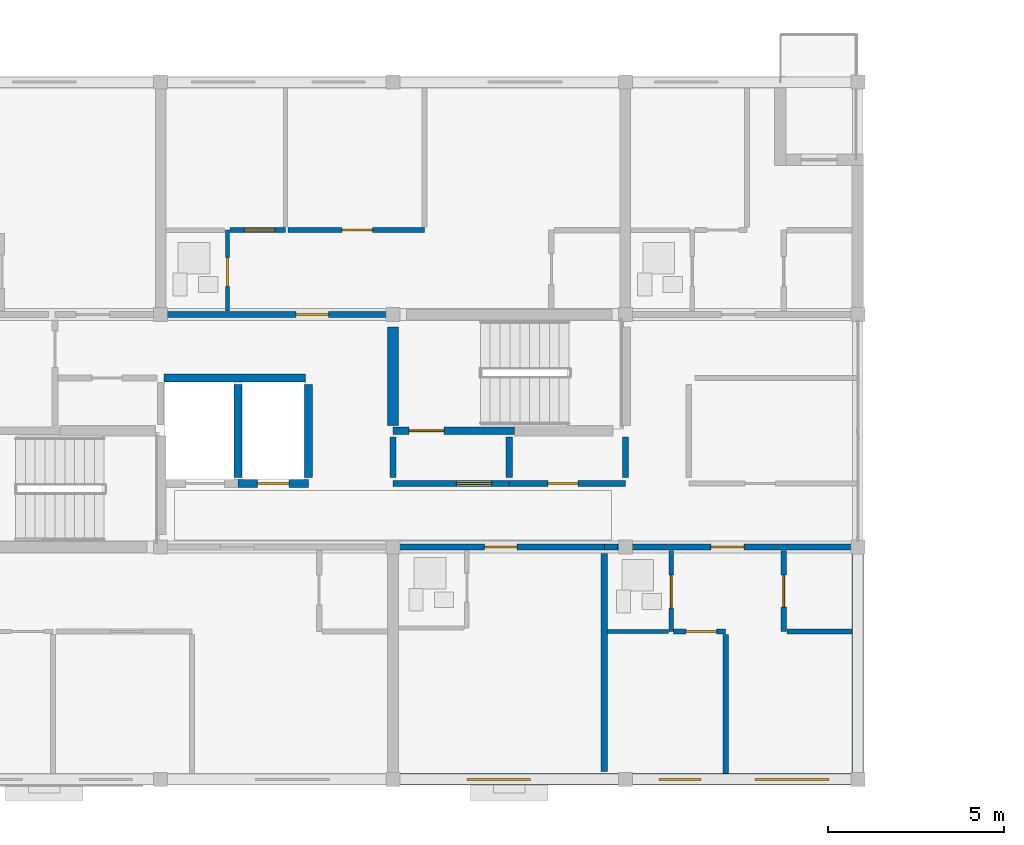
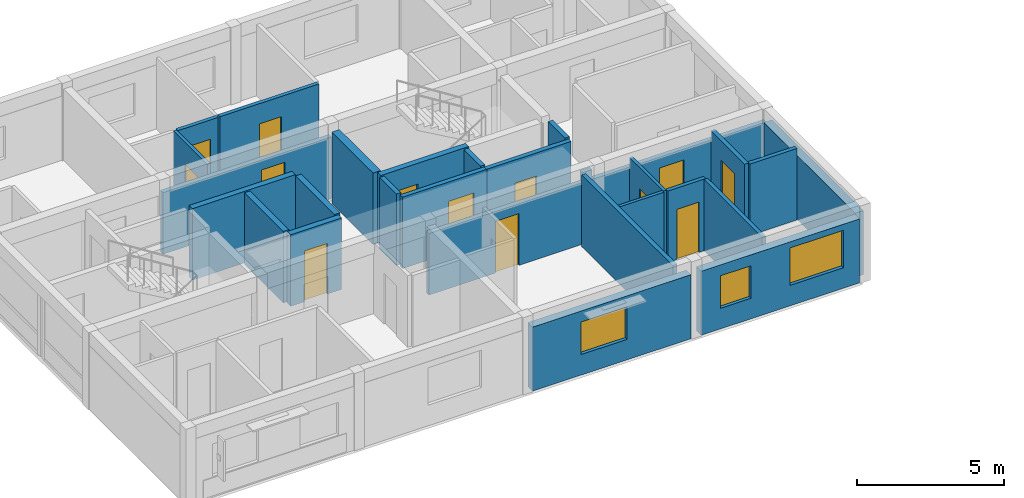
# One storey, part 28 of 53: 28 walls, 13 doors, 3 windows, 16 openings.
"""IFC4 building model written with IfcOpenShell, lengths in metres."""

import ifcopenshell
import ifcopenshell.guid

model = None  # the IFC model being written
_history = None  # IfcOwnerHistory: only IFC2X3 demands one
_inside = {}  # id of a spatial element -> (the spatial element, [elements in it])
_under = {}  # id of a project, library or spatial element -> (it, [spatial elements below it])
_declared = {}  # id of a project -> (the project, [libraries it declares])
_typed = {}  # id of a type object -> (the type object, [elements of that type])
_made_of = {}  # id of a material, layer set ... -> (it, [elements and type objects made of it])


def new_model(schema):
    """Start an empty IFC model of exactly this schema.

    Asked for "IFC4X3", IfcOpenShell would pick the latest addendum, in which some entities
    have other attributes; the version numbers below select the first issue.
    IFC2X3 requires an IfcOwnerHistory on every rooted entity: one is made here for all.
    """
    global model, _history
    if schema == "IFC4X3":
        model = ifcopenshell.file(schema_version=(4, 3, 0, 0))
    else:
        model = ifcopenshell.file(schema=schema)
    _inside.clear()
    _under.clear()
    _declared.clear()
    _typed.clear()
    _made_of.clear()
    _history = None
    if model.schema == "IFC2X3":
        org = make("IfcOrganization", Name="unknown")
        user = make(
            "IfcPersonAndOrganization",
            ThePerson=make("IfcPerson", FamilyName="unknown"),
            TheOrganization=org,
        )
        app = make(
            "IfcApplication",
            ApplicationDeveloper=org,
            Version="unknown",
            ApplicationFullName="unknown",
            ApplicationIdentifier="unknown",
        )
        _history = make(
            "IfcOwnerHistory",
            OwningUser=user,
            OwningApplication=app,
            ChangeAction="ADDED",
            CreationDate=0,
        )
    return model


def make(cls, **values):
    """One entity of the class cls with the attributes given. An attribute that is None is left unset."""
    return model.create_entity(
        cls, **{name: value for name, value in values.items() if value is not None}
    )


def rooted(cls, **values):
    """An entity with a GlobalId (a new one), such as an element, a storey or a relation."""
    return make(cls, GlobalId=ifcopenshell.guid.new(), OwnerHistory=_history, **values)


def si_unit(unit_type, name, prefix=None):
    """IfcSIUnit, for example si_unit("LENGTHUNIT", "METRE", prefix="MILLI")."""
    return make("IfcSIUnit", UnitType=unit_type, Prefix=prefix, Name=name)


def assignment(units):
    """IfcUnitAssignment: the units of a project."""
    return None if units is None else make("IfcUnitAssignment", Units=units)


def point(xyz):
    """IfcCartesianPoint."""
    return None if xyz is None else make("IfcCartesianPoint", Coordinates=xyz)


def direction(xyz):
    """IfcDirection."""
    return None if xyz is None else make("IfcDirection", DirectionRatios=xyz)


def frame(location, z_axis=None, x_axis=None):
    """IfcAxis2Placement3D, a coordinate frame: its origin and axes. An axis left out is left unset."""
    return make(
        "IfcAxis2Placement3D",
        Location=point(location),
        Axis=direction(z_axis),
        RefDirection=direction(x_axis),
    )


def frame_2d(location, x_axis=None):
    """IfcAxis2Placement2D, a coordinate frame in the plane: its origin and x axis."""
    return make(
        "IfcAxis2Placement2D", Location=point(location), RefDirection=direction(x_axis)
    )


def origin():
    """The frame at (0, 0, 0) with its axes left unset."""
    return frame((0.0, 0.0, 0.0))


def place(relative_to, where):
    """IfcLocalPlacement: puts the frame where relative to a parent placement (None: the world)."""
    return make(
        "IfcLocalPlacement", PlacementRelTo=relative_to, RelativePlacement=where
    )


def context(
    kind, dimensions, precision=None, world=None, true_north=None, identifier=None
):
    """IfcGeometricRepresentationContext, for example the 3D "Model" context."""
    return make(
        "IfcGeometricRepresentationContext",
        ContextIdentifier=identifier,
        ContextType=kind,
        CoordinateSpaceDimension=dimensions,
        Precision=precision,
        WorldCoordinateSystem=world,
        TrueNorth=true_north,
    )


def subcontext(parent, identifier, kind, view, scale=None):
    """IfcGeometricRepresentationSubContext, for example "Body" below "Model"."""
    return make(
        "IfcGeometricRepresentationSubContext",
        ContextIdentifier=identifier,
        ContextType=kind,
        ParentContext=parent,
        TargetScale=scale,
        TargetView=view,
    )


def project(units=None, contexts=None):
    """IfcProject with its units and contexts."""
    return rooted(
        "IfcProject",
        Name="project",
        RepresentationContexts=contexts,
        UnitsInContext=assignment(units),
    )


def spatial(cls, under=None, at=None, **own):
    """A site, building, storey or space (cls), placed at a placement, below another one or the project."""
    s = rooted(cls, ObjectPlacement=at, **own)
    if under is not None:
        _under.setdefault(under.id(), (under, []))[1].append(s)
    return s


def profile(cls, at=None, kind="AREA", **sizes):
    """A parametric profile (cls). Its sizes go by their IFC names, for example OverallWidth=200.0."""
    return make(cls, ProfileType=kind, Position=at, **sizes)


def rectangle(**sizes):
    """IfcRectangleProfileDef."""
    return profile("IfcRectangleProfileDef", **sizes)


def extrude(swept, where, along, depth):
    """IfcExtrudedAreaSolid: the profile swept, set in the frame where, extruded along a direction by depth."""
    return make(
        "IfcExtrudedAreaSolid",
        SweptArea=swept,
        Position=where,
        ExtrudedDirection=direction(along),
        Depth=depth,
    )


def shape(context_of_items, identifier, shape_type, items):
    """IfcShapeRepresentation: the items that make up one representation, for example the "Body"."""
    return make(
        "IfcShapeRepresentation",
        ContextOfItems=context_of_items,
        RepresentationIdentifier=identifier,
        RepresentationType=shape_type,
        Items=items,
    )


def material(Name=None, Category=None):
    """IfcMaterial."""
    return make("IfcMaterial", Name=Name, Category=Category)


def layer(
    of_material, thickness, ventilated=None, Name=None, Category=None, Priority=None
):
    """IfcMaterialLayer: one layer of a wall or slab, of a material (None: an air gap)."""
    return make(
        "IfcMaterialLayer",
        Material=of_material,
        LayerThickness=thickness,
        IsVentilated=ventilated,
        Name=Name,
        Category=Category,
        Priority=Priority,
    )


def layer_set(layers, Name=None):
    """IfcMaterialLayerSet."""
    return make("IfcMaterialLayerSet", MaterialLayers=layers, LayerSetName=Name)


def made_of(thing, what):
    """Note that an element or type object is made of a material, layer set ...; save() writes the relation."""
    if what is not None:
        _made_of.setdefault(what.id(), (what, []))[1].append(thing)
    return thing


def type_object(cls, material=None, **own):
    """A type object (cls), such as IfcWallType, which elements share."""
    return made_of(rooted(cls, **own), material)


def element(
    cls,
    number,
    at=None,
    inside=None,
    cuts=None,
    type_object=None,
    material=None,
    context=None,
    identifier="Body",
    shape_type=None,
    held_by="IfcProductDefinitionShape",
    body=None,
    shapes=None,
    **own,
):
    """One element of the class cls, such as IfcWall. Its Tag is "e" and its number.

    at: its placement. inside: the storey or other place that contains it. cuts: it is an
    opening in that element (IfcRelVoidsElement). A single representation is given by context,
    identifier, shape_type and body (its items); several are given by shapes. held_by: the class
    of the entity that holds the representations. save() writes the other relations.
    """
    e = rooted(cls, Tag="e%d" % number, ObjectPlacement=at, **own)
    if body is not None:
        shapes = [shape(context, identifier, shape_type, body)]
    if shapes is not None:
        e.Representation = make(held_by, Representations=shapes)
    if inside is not None:
        _inside.setdefault(inside.id(), (inside, []))[1].append(e)
    if cuts is not None:
        rooted(
            "IfcRelVoidsElement", RelatingBuildingElement=cuts, RelatedOpeningElement=e
        )
    if type_object is not None:
        _typed.setdefault(type_object.id(), (type_object, []))[1].append(e)
    return made_of(e, material)


def fill(opening, filler):
    """IfcRelFillsElement: the door or window that sits in an opening."""
    return rooted(
        "IfcRelFillsElement",
        RelatingOpeningElement=opening,
        RelatedBuildingElement=filler,
    )


def aggregate(whole, parts):
    """IfcRelAggregates: a whole, such as a stair, and the parts it consists of."""
    return rooted("IfcRelAggregates", RelatingObject=whole, RelatedObjects=parts)


def save(model, path):
    """Write the relations noted so far, then the file.

    IfcRelAggregates (storeys below a building ...), IfcRelContainedInSpatialStructure (elements
    in a storey), IfcRelDefinesByType, IfcRelAssociatesMaterial and IfcRelDeclares: one each for
    every whole, place, type object, material and project.
    """
    for whole, parts in _under.values():
        aggregate(whole, parts)
    for where, things in _inside.values():
        rooted(
            "IfcRelContainedInSpatialStructure",
            RelatedElements=things,
            RelatingStructure=where,
        )
    for kind, things in _typed.values():
        rooted("IfcRelDefinesByType", RelatedObjects=things, RelatingType=kind)
    for what, things in _made_of.values():
        rooted("IfcRelAssociatesMaterial", RelatedObjects=things, RelatingMaterial=what)
    for by, libraries in _declared.values():
        rooted("IfcRelDeclares", RelatingContext=by, RelatedDefinitions=libraries)
    model.write(path)


model = new_model("IFC4")

# Units and contexts
model_context = context("Model", 3, precision=1e-05, world=origin(), true_north=direction((0.0, 1.0)))
body_context = subcontext(model_context, "Body", "Model", "MODEL_VIEW")
ifc_project = project(units=[si_unit("LENGTHUNIT", "METRE"), si_unit("AREAUNIT", "SQUARE_METRE"), si_unit("VOLUMEUNIT", "CUBIC_METRE"), si_unit("PLANEANGLEUNIT", "RADIAN"), si_unit("MASSUNIT", "GRAM", prefix="KILO")], contexts=[model_context])

# Site, building, storey
site_placement = place(None, origin())
site = spatial("IfcSite", under=ifc_project, at=site_placement, CompositionType="ELEMENT")
building_placement = place(site_placement, origin())
building = spatial("IfcBuilding", under=site, at=building_placement, Name="Kernevlak Ridge Housing Community", CompositionType="ELEMENT")
storey_placement = place(building_placement, frame((0.0, 0.0, 18.0)))
storey = spatial("IfcBuildingStorey", under=building, at=storey_placement, Name="L05", CompositionType="ELEMENT", Elevation=18.0)

# Wall, opening, window
ifc_material_1 = material(Name="Concrete block masonry M10", Category="masonry")
ifc_layer_1 = layer(ifc_material_1, 0.320068359375, Name="Concrete block masonry M10")
ifc_layer_set_1 = layer_set([ifc_layer_1], Name="Concrete block masonry M10")
wall_type_1 = type_object("IfcWallType", Name="EW-02", PredefinedType="STANDARD", material=ifc_layer_set_1)
wall_1_placement = place(storey_placement, frame((29.0, 15.60009765625, 0.0), z_axis=(0.0, 0.0, 1.0), x_axis=(1.0, 0.0, 0.0)))
wall_1 = element("IfcWall", 1, at=wall_1_placement, inside=storey, type_object=wall_type_1, Name="Exterior wall EW-02 L05 783", PredefinedType="STANDARD", context=body_context, shape_type="SweptSolid", body=[
    extrude(rectangle(XDim=6.199951171875, YDim=0.320068359375, at=frame_2d((3.10009765625, 0.0))), origin(), (0.0, 0.0, 1.0), 2.64990234375),
])
opening_1_placement = place(wall_1_placement, frame((1.89990234375, 0.0, 0.85009765625)))
opening_1 = element("IfcOpeningElement", 2, at=opening_1_placement, cuts=wall_1, Name="Opening WT-03", PredefinedType="OPENING", context=body_context, shape_type="SweptSolid", body=[
    extrude(rectangle(XDim=1.800048828125, YDim=1.35009765625, at=frame_2d((0.89990234375, 0.675048828125))), frame((0.0, 0.169921875, 0.0), z_axis=(0.0, -1.0, 0.0), x_axis=(1.0, 0.0, 0.0)), (0.0, 0.0, 1.0), 0.340087890625),
])
ifc_material_2 = material(Name="Aluminium EN AW-6060 anodised and laminated glass", Category="aluminium")
window_type_1 = type_object("IfcWindowType", Name="WT-03", PartitioningType="SINGLE_PANEL", PredefinedType="WINDOW", material=ifc_material_2)
window_1_placement = place(opening_1_placement, origin())
window_1 = element("IfcWindow", 3, at=window_1_placement, inside=storey, type_object=window_type_1, Name="Window WT-03 L05 653", OverallHeight=1.35009765625, OverallWidth=1.800048828125, PartitioningType="SINGLE_PANEL", PredefinedType="WINDOW", context=body_context, shape_type="SweptSolid", body=[
    extrude(rectangle(XDim=1.800048828125, YDim=1.35009765625, at=frame_2d((0.89990234375, 0.675048828125))), frame((0.0, 0.030029296875, 0.0), z_axis=(0.0, -1.0, 0.0), x_axis=(1.0, 0.0, 0.0)), (0.0, 0.0, 1.0), 0.06005859375),
])
fill(opening_1, window_1)

# Wall, openings, windows
wall_2_placement = place(storey_placement, frame((35.60009765625, 15.60009765625, 0.0), z_axis=(0.0, 0.0, 1.0), x_axis=(1.0, 0.0, 0.0)))
wall_2 = element("IfcWall", 4, at=wall_2_placement, inside=storey, type_object=wall_type_1, Name="Exterior wall EW-02 L05 784", PredefinedType="STANDARD", context=body_context, shape_type="SweptSolid", body=[
    extrude(rectangle(XDim=6.199951171875, YDim=0.320068359375, at=frame_2d((3.10009765625, 0.0))), origin(), (0.0, 0.0, 1.0), 2.64990234375),
])
opening_2_placement = place(wall_2_placement, frame((0.75, 0.0, 0.85009765625)))
opening_2 = element("IfcOpeningElement", 5, at=opening_2_placement, cuts=wall_2, Name="Opening WT-01", PredefinedType="OPENING", context=body_context, shape_type="SweptSolid", body=[
    extrude(rectangle(XDim=1.199951171875, YDim=1.35009765625, at=frame_2d((0.60009765625, 0.675048828125))), frame((0.0, 0.169921875, 0.0), z_axis=(0.0, -1.0, 0.0), x_axis=(1.0, 0.0, 0.0)), (0.0, 0.0, 1.0), 0.340087890625),
])
opening_3_placement = place(wall_2_placement, frame((3.47509765625, 0.0, 0.85009765625)))
opening_3 = element("IfcOpeningElement", 6, at=opening_3_placement, cuts=wall_2, Name="Opening WT-05", PredefinedType="OPENING", context=body_context, shape_type="SweptSolid", body=[
    extrude(rectangle(XDim=2.10009765625, YDim=1.550048828125, at=frame_2d((1.050048828125, 0.77490234375))), frame((0.0, 0.169921875, 0.0), z_axis=(0.0, -1.0, 0.0), x_axis=(1.0, 0.0, 0.0)), (0.0, 0.0, 1.0), 0.340087890625),
])
window_type_2 = type_object("IfcWindowType", Name="WT-01", PartitioningType="SINGLE_PANEL", PredefinedType="WINDOW", material=ifc_material_2)
window_2_placement = place(opening_2_placement, origin())
window_2 = element("IfcWindow", 7, at=window_2_placement, inside=storey, type_object=window_type_2, Name="Window WT-01 L05 654", OverallHeight=1.35009765625, OverallWidth=1.199951171875, PartitioningType="SINGLE_PANEL", PredefinedType="WINDOW", context=body_context, shape_type="SweptSolid", body=[
    extrude(rectangle(XDim=1.199951171875, YDim=1.35009765625, at=frame_2d((0.60009765625, 0.675048828125))), frame((0.0, 0.030029296875, 0.0), z_axis=(0.0, -1.0, 0.0), x_axis=(1.0, 0.0, 0.0)), (0.0, 0.0, 1.0), 0.06005859375),
])
fill(opening_2, window_2)
window_type_3 = type_object("IfcWindowType", Name="WT-05", PartitioningType="SINGLE_PANEL", PredefinedType="WINDOW", material=ifc_material_2)
window_3_placement = place(opening_3_placement, origin())
window_3 = element("IfcWindow", 8, at=window_3_placement, inside=storey, type_object=window_type_3, Name="Window WT-05 L05 655", OverallHeight=1.550048828125, OverallWidth=2.10009765625, PartitioningType="SINGLE_PANEL", PredefinedType="WINDOW", context=body_context, shape_type="SweptSolid", body=[
    extrude(rectangle(XDim=2.10009765625, YDim=1.550048828125, at=frame_2d((1.050048828125, 0.77490234375))), frame((0.0, 0.030029296875, 0.0), z_axis=(0.0, -1.0, 0.0), x_axis=(1.0, 0.0, 0.0)), (0.0, 0.0, 1.0), 0.06005859375),
])
fill(opening_3, window_3)

# Wall
wall_3_placement = place(storey_placement, frame((42.0, 15.800048828125, 0.0), z_axis=(0.0, 0.0, 1.0), x_axis=(0.0, 1.0, 0.0)))
element("IfcWall", 9, at=wall_3_placement, inside=storey, type_object=wall_type_1, Name="Exterior wall EW-02 L05 793", PredefinedType="STANDARD", context=body_context, shape_type="SweptSolid", body=[
    extrude(rectangle(XDim=6.199951171875, YDim=0.320068359375, at=frame_2d((3.10009765625, 0.0))), origin(), (0.0, 0.0, 1.0), 2.64990234375),
])

# Wall, opening, door
ifc_material_3 = material(Name="Concrete C35/45", Category="concrete")
ifc_layer_2 = layer(ifc_material_3, 0.22509765625, Name="Concrete C35/45")
ifc_layer_set_2 = layer_set([ifc_layer_2], Name="Concrete C35/45")
wall_type_2 = type_object("IfcWallType", Name="PW-01", PredefinedType="STANDARD", material=ifc_layer_set_2)
wall_4_placement = place(storey_placement, frame((24.39990234375, 24.0, 0.0), z_axis=(0.0, 0.0, 1.0), x_axis=(1.0, 0.0, 0.0)))
wall_4 = element("IfcWall", 10, at=wall_4_placement, inside=storey, type_object=wall_type_2, Name="Interior wall PW-01 WAL-INT-L05-3247", PredefinedType="STANDARD", context=body_context, shape_type="SweptSolid", body=[
    extrude(rectangle(XDim=2.0, YDim=0.22509765625, at=frame_2d((1.0, 0.0))), origin(), (0.0, 0.0, 1.0), 2.9599609375),
])
opening_4_placement = place(wall_4_placement, frame((0.550048828125, 0.0, 0.0)))
opening_4 = element("IfcOpeningElement", 11, at=opening_4_placement, cuts=wall_4, Name="Opening LD89", PredefinedType="OPENING", context=body_context, shape_type="SweptSolid", body=[
    extrude(rectangle(XDim=0.89990234375, YDim=2.10009765625, at=frame_2d((0.449951171875, 1.050048828125))), frame((0.0, 0.12255859375, 0.0), z_axis=(0.0, -1.0, 0.0), x_axis=(1.0, 0.0, 0.0)), (0.0, 0.0, 1.0), 0.2451171875),
])
ifc_material_4 = material(Name="Stainless steel EN 1.4401", Category="steel")
door_type_1 = type_object("IfcDoorType", Name="DT-LD2", OperationType="DOUBLE_DOOR_SLIDING", PredefinedType="DOOR", material=ifc_material_4)
door_1_placement = place(opening_4_placement, origin())
door_1 = element("IfcDoor", 12, at=door_1_placement, inside=storey, type_object=door_type_1, Name="Lift LF-D2 landing door LD89", OperationType="DOUBLE_DOOR_SLIDING", OverallHeight=2.10009765625, OverallWidth=0.89990234375, PredefinedType="DOOR", context=body_context, shape_type="SweptSolid", body=[
    extrude(rectangle(XDim=0.89990234375, YDim=2.10009765625, at=frame_2d((0.449951171875, 1.050048828125))), frame((0.0, 0.02490234375, 0.0), z_axis=(0.0, -1.0, 0.0), x_axis=(1.0, 0.0, 0.0)), (0.0, 0.0, 1.0), 0.050048828125),
])
fill(opening_4, door_1)

# Walls
wall_5_placement = place(storey_placement, frame((22.297607421875, 27.0, 0.0), z_axis=(0.0, 0.0, 1.0), x_axis=(1.0, 0.0, 0.0)))
element("IfcWall", 13, at=wall_5_placement, inside=storey, type_object=wall_type_2, Name="Interior wall PW-01 WAL-INT-L05-3248", PredefinedType="STANDARD", context=body_context, shape_type="SweptSolid", body=[
    extrude(rectangle(XDim=4.0224609375, YDim=0.22509765625, at=frame_2d((2.01123046875, 0.0))), origin(), (0.0, 0.0, 1.0), 2.9599609375),
])
for number, where, z_axis, x_axis, name in (
    (14, (24.39990234375, 24.179931640625, 0.0), (0.0, 0.0, 1.0), (0.0, 1.0, 0.0), "Interior wall PW-01 WAL-INT-L05-3250"),
    (15, (26.39990234375, 24.179931640625, 0.0), (0.0, 0.0, 1.0), (0.0, 1.0, 0.0), "Interior wall PW-01 WAL-INT-L05-3251"),
):
    element("IfcWall", number, at=place(storey_placement, frame(where, z_axis=z_axis, x_axis=x_axis)), inside=storey, type_object=wall_type_2, Name=name, PredefinedType="STANDARD", context=body_context, shape_type="SweptSolid", body=[
        extrude(rectangle(XDim=2.64013671875, YDim=0.22509765625, at=frame_2d((1.320068359375, 0.0))), origin(), (0.0, 0.0, 1.0), 2.9599609375),
    ])

# Wall, opening, door
wall_6_placement = place(storey_placement, frame((28.800048828125, 25.5, 0.0), z_axis=(0.0, 0.0, 1.0), x_axis=(1.0, 0.0, 0.0)))
wall_6 = element("IfcWall", 16, at=wall_6_placement, inside=storey, type_object=wall_type_2, Name="Interior wall PW-01 WAL-INT-L05-3252", PredefinedType="STANDARD", context=body_context, shape_type="SweptSolid", body=[
    extrude(rectangle(XDim=3.449951171875, YDim=0.22509765625, at=frame_2d((1.72509765625, 0.0))), origin(), (0.0, 0.0, 1.0), 2.9599609375),
])
opening_5_placement = place(wall_6_placement, frame((0.449951171875, 0.0, 0.0)))
opening_5 = element("IfcOpeningElement", 17, at=opening_5_placement, cuts=wall_6, Name="Opening E648", PredefinedType="OPENING", context=body_context, shape_type="SweptSolid", body=[
    extrude(rectangle(XDim=1.0, YDim=2.10009765625, at=frame_2d((0.5, 1.050048828125))), frame((0.0, 0.12255859375, 0.0), z_axis=(0.0, -1.0, 0.0), x_axis=(1.0, 0.0, 0.0)), (0.0, 0.0, 1.0), 0.2451171875),
])
ifc_material_5 = material(Name="Fire-rated sheet steel leaf", Category="steel")
door_type_2 = type_object("IfcDoorType", Name="DT-05", OperationType="NOTDEFINED", PredefinedType="DOOR", material=ifc_material_5)
door_2_placement = place(opening_5_placement, origin())
door_2 = element("IfcDoor", 18, at=door_2_placement, inside=storey, type_object=door_type_2, Name="Block D Stair 2 fire door E648", OperationType="SINGLE_SWING_LEFT", OverallHeight=2.10009765625, OverallWidth=1.0, PredefinedType="DOOR", context=body_context, shape_type="SweptSolid", body=[
    extrude(rectangle(XDim=1.0, YDim=2.10009765625, at=frame_2d((0.5, 1.050048828125))), frame((0.0, 0.02490234375, 0.0), z_axis=(0.0, -1.0, 0.0), x_axis=(1.0, 0.0, 0.0)), (0.0, 0.0, 1.0), 0.050048828125),
])
fill(opening_5, door_2)

ifc_layer_3 = layer(ifc_material_1, 0.175048828125, Name="Concrete block masonry M10")
ifc_layer_set_3 = layer_set([ifc_layer_3], Name="Concrete block masonry M10")
wall_type_3 = type_object("IfcWallType", Name="PW-02", PredefinedType="PARTITIONING", material=ifc_layer_set_3)
wall_7_placement = place(storey_placement, frame((28.800048828125, 24.0, 0.0), z_axis=(0.0, 0.0, 1.0), x_axis=(1.0, 0.0, 0.0)))
wall_7 = element("IfcWall", 19, at=wall_7_placement, inside=storey, type_object=wall_type_3, Name="Interior wall PW-02 WAL-INT-L05-3253", PredefinedType="PARTITIONING", context=body_context, shape_type="SweptSolid", body=[
    extrude(rectangle(XDim=3.300048828125, YDim=0.175048828125, at=frame_2d((1.64990234375, 0.0))), origin(), (0.0, 0.0, 1.0), 2.9599609375),
])
opening_6_placement = place(wall_7_placement, frame((1.800048828125, 0.0, 0.0)))
opening_6 = element("IfcOpeningElement", 20, at=opening_6_placement, cuts=wall_7, Name="Opening E649", PredefinedType="OPENING", context=body_context, shape_type="SweptSolid", body=[
    extrude(rectangle(XDim=1.0, YDim=2.159912109375, at=frame_2d((0.5, 1.080078125))), frame((0.0, 0.097412109375, 0.0), z_axis=(0.0, -1.0, 0.0), x_axis=(1.0, 0.0, 0.0)), (0.0, 0.0, 1.0), 0.195068359375),
])
door_type_3 = type_object("IfcDoorType", Name="DT-15", OperationType="NOTDEFINED", PredefinedType="DOOR", material=ifc_material_5)
door_3_placement = place(opening_6_placement, origin())
door_3 = element("IfcDoor", 21, at=door_3_placement, inside=storey, type_object=door_type_3, Name="Block D Firefighting lobby 2 door E649", OperationType="SINGLE_SWING_RIGHT", OverallHeight=2.159912109375, OverallWidth=1.0, PredefinedType="DOOR", context=body_context, shape_type="SweptSolid", body=[
    extrude(rectangle(XDim=1.0, YDim=2.159912109375, at=frame_2d((0.5, 1.080078125))), frame((0.0, 0.02490234375, 0.0), z_axis=(0.0, -1.0, 0.0), x_axis=(1.0, 0.0, 0.0)), (0.0, 0.0, 1.0), 0.050048828125),
])
fill(opening_6, door_3)

wall_8_placement = place(storey_placement, frame((32.10009765625, 24.0, 0.0), z_axis=(0.0, 0.0, 1.0), x_axis=(1.0, 0.0, 0.0)))
wall_8 = element("IfcWall", 22, at=wall_8_placement, inside=storey, type_object=wall_type_3, Name="Interior wall PW-02 WAL-INT-L05-3254", PredefinedType="PARTITIONING", context=body_context, shape_type="SweptSolid", body=[
    extrude(rectangle(XDim=3.2998046875, YDim=0.175048828125, at=frame_2d((1.64990234375, 0.0))), origin(), (0.0, 0.0, 1.0), 2.9599609375),
])
opening_7_placement = place(wall_8_placement, frame((1.10009765625, 0.0, 0.0)))
opening_7 = element("IfcOpeningElement", 23, at=opening_7_placement, cuts=wall_8, Name="Opening E650", PredefinedType="OPENING", context=body_context, shape_type="SweptSolid", body=[
    extrude(rectangle(XDim=0.85009765625, YDim=2.0, at=frame_2d((0.425048828125, 1.0))), frame((0.0, 0.097412109375, 0.0), z_axis=(0.0, -1.0, 0.0), x_axis=(1.0, 0.0, 0.0)), (0.0, 0.0, 1.0), 0.195068359375),
])
door_type_4 = type_object("IfcDoorType", Name="DT-07", OperationType="NOTDEFINED", PredefinedType="DOOR", material=ifc_material_5)
door_4_placement = place(opening_7_placement, origin())
door_4 = element("IfcDoor", 24, at=door_4_placement, inside=storey, type_object=door_type_4, Name="Block D Cleaner store door E650", OperationType="SINGLE_SWING_LEFT", OverallHeight=2.0, OverallWidth=0.85009765625, PredefinedType="DOOR", context=body_context, shape_type="SweptSolid", body=[
    extrude(rectangle(XDim=0.85009765625, YDim=2.0, at=frame_2d((0.425048828125, 1.0))), frame((0.0, 0.02490234375, 0.0), z_axis=(0.0, -1.0, 0.0), x_axis=(1.0, 0.0, 0.0)), (0.0, 0.0, 1.0), 0.050048828125),
])
fill(opening_7, door_4)

# Walls
for number, where, z_axis, x_axis, name in (
    (25, (28.800048828125, 24.179931640625, 0.0), (0.0, 0.0, 1.0), (0.0, 1.0, 0.0), "Interior wall PW-02 WAL-INT-L05-3255"),
    (26, (32.10009765625, 24.179931640625, 0.0), (0.0, 0.0, 1.0), (0.0, 1.0, 0.0), "Interior wall PW-02 WAL-INT-L05-3256"),
    (27, (35.39990234375, 24.179931640625, 0.0), (0.0, 0.0, 1.0), (0.0, 1.0, 0.0), "Interior wall PW-02 WAL-INT-L05-3257"),
):
    element("IfcWall", number, at=place(storey_placement, frame(where, z_axis=z_axis, x_axis=x_axis)), inside=storey, type_object=wall_type_3, Name=name, PredefinedType="PARTITIONING", context=body_context, shape_type="SweptSolid", body=[
        extrude(rectangle(XDim=1.14013671875, YDim=0.175048828125, at=frame_2d((0.570068359375, 0.0))), origin(), (0.0, 0.0, 1.0), 2.9599609375),
    ])

# Wall, opening, door
wall_9_placement = place(storey_placement, frame((28.800048828125, 22.199951171875, 0.0), z_axis=(0.0, 0.0, 1.0), x_axis=(1.0, 0.0, 0.0)))
wall_9 = element("IfcWall", 28, at=wall_9_placement, inside=storey, type_object=wall_type_3, Name="Interior wall PW-02 WAL-INT-L05-3270", PredefinedType="PARTITIONING", context=body_context, shape_type="SweptSolid", body=[
    extrude(rectangle(XDim=6.0, YDim=0.175048828125, at=frame_2d((3.0, 0.0))), origin(), (0.0, 0.0, 1.0), 2.550048828125),
])
opening_8_placement = place(wall_9_placement, frame((2.60009765625, 0.0, 0.0)))
opening_8 = element("IfcOpeningElement", 29, at=opening_8_placement, cuts=wall_9, Name="Opening E657", PredefinedType="OPENING", context=body_context, shape_type="SweptSolid", body=[
    extrude(rectangle(XDim=0.919921875, YDim=2.139892578125, at=frame_2d((0.4599609375, 1.06982421875))), frame((0.0, 0.097412109375, 0.0), z_axis=(0.0, -1.0, 0.0), x_axis=(1.0, 0.0, 0.0)), (0.0, 0.0, 1.0), 0.195068359375),
])
ifc_material_6 = material(Name="Hardwood timber solid-core fire leaf", Category="wood")
door_type_5 = type_object("IfcDoorType", Name="DT-20", OperationType="NOTDEFINED", PredefinedType="DOOR", material=ifc_material_6)
door_5_placement = place(opening_8_placement, origin())
door_5 = element("IfcDoor", 30, at=door_5_placement, inside=storey, type_object=door_type_5, Name="Flat D0512 entrance fire door E657", OperationType="SINGLE_SWING_RIGHT", OverallHeight=2.139892578125, OverallWidth=0.919921875, PredefinedType="DOOR", context=body_context, shape_type="SweptSolid", body=[
    extrude(rectangle(XDim=0.919921875, YDim=2.139892578125, at=frame_2d((0.4599609375, 1.06982421875))), frame((0.0, 0.02490234375, 0.0), z_axis=(0.0, -1.0, 0.0), x_axis=(1.0, 0.0, 0.0)), (0.0, 0.0, 1.0), 0.050048828125),
])
fill(opening_8, door_5)

# Walls
wall_10_placement = place(storey_placement, frame((34.800048828125, 22.02001953125, 0.0), z_axis=(0.0, 0.0, 1.0), x_axis=(0.0, -1.0, 0.0)))
element("IfcWall", 31, at=wall_10_placement, inside=storey, type_object=wall_type_3, Name="Interior wall PW-02 WAL-INT-L05-3273", PredefinedType="PARTITIONING", context=body_context, shape_type="SweptSolid", body=[
    extrude(rectangle(XDim=6.18994140625, YDim=0.175048828125, at=frame_2d((3.094970703125, 0.0))), origin(), (0.0, 0.0, 1.0), 2.9599609375),
])
wall_11_placement = place(storey_placement, frame((34.800048828125, 22.199951171875, 0.0), z_axis=(0.0, 0.0, 1.0), x_axis=(1.0, 0.0, 0.0)))
element("IfcWall", 32, at=wall_11_placement, inside=storey, type_object=wall_type_3, Name="Interior wall PW-02 WAL-INT-L05-3274", PredefinedType="PARTITIONING", context=body_context, shape_type="SweptSolid", body=[
    extrude(rectangle(XDim=0.369873046875, YDim=0.175048828125, at=frame_2d((0.18505859375, 0.0))), origin(), (0.0, 0.0, 1.0), 2.9599609375),
])

# Wall, opening, door
wall_12_placement = place(storey_placement, frame((35.169921875, 22.199951171875, 0.0), z_axis=(0.0, 0.0, 1.0), x_axis=(1.0, 0.0, 0.0)))
wall_12 = element("IfcWall", 33, at=wall_12_placement, inside=storey, type_object=wall_type_3, Name="Interior wall PW-02 WAL-INT-L05-3274 part 2", PredefinedType="PARTITIONING", context=body_context, shape_type="SweptSolid", body=[
    extrude(rectangle(XDim=6.830078125, YDim=0.175048828125, at=frame_2d((3.4150390625, 0.0))), origin(), (0.0, 0.0, 1.0), 2.550048828125),
])
opening_9_placement = place(wall_12_placement, frame((2.655029296875, 0.0, 0.0)))
opening_9 = element("IfcOpeningElement", 34, at=opening_9_placement, cuts=wall_12, Name="Opening E659", PredefinedType="OPENING", context=body_context, shape_type="SweptSolid", body=[
    extrude(rectangle(XDim=0.949951171875, YDim=2.10009765625, at=frame_2d((0.47509765625, 1.050048828125))), frame((0.0, 0.097412109375, 0.0), z_axis=(0.0, -1.0, 0.0), x_axis=(1.0, 0.0, 0.0)), (0.0, 0.0, 1.0), 0.195068359375),
])
door_type_6 = type_object("IfcDoorType", Name="DT-01", OperationType="NOTDEFINED", PredefinedType="DOOR", material=ifc_material_6)
door_6_placement = place(opening_9_placement, origin())
door_6 = element("IfcDoor", 35, at=door_6_placement, inside=storey, type_object=door_type_6, Name="Flat D0513 entrance fire door E659", OperationType="SINGLE_SWING_RIGHT", OverallHeight=2.10009765625, OverallWidth=0.949951171875, PredefinedType="DOOR", context=body_context, shape_type="SweptSolid", body=[
    extrude(rectangle(XDim=0.949951171875, YDim=2.10009765625, at=frame_2d((0.47509765625, 1.050048828125))), frame((0.0, 0.02490234375, 0.0), z_axis=(0.0, -1.0, 0.0), x_axis=(1.0, 0.0, 0.0)), (0.0, 0.0, 1.0), 0.050048828125),
])
fill(opening_9, door_6)

wall_13_placement = place(storey_placement, frame((22.199951171875, 28.800048828125, 0.0), z_axis=(0.0, 0.0, 1.0), x_axis=(1.0, 0.0, 0.0)))
wall_13 = element("IfcWall", 36, at=wall_13_placement, inside=storey, type_object=wall_type_3, Name="Interior wall PW-02 WAL-INT-L05-3285", PredefinedType="PARTITIONING", context=body_context, shape_type="SweptSolid", body=[
    extrude(rectangle(XDim=6.60009765625, YDim=0.175048828125, at=frame_2d((3.300048828125, 0.0))), origin(), (0.0, 0.0, 1.0), 2.550048828125),
])
opening_10_placement = place(wall_13_placement, frame((3.85009765625, 0.0, 0.0)))
opening_10 = element("IfcOpeningElement", 37, at=opening_10_placement, cuts=wall_13, Name="Opening E665", PredefinedType="OPENING", context=body_context, shape_type="SweptSolid", body=[
    extrude(rectangle(XDim=0.919921875, YDim=2.139892578125, at=frame_2d((0.4599609375, 1.06982421875))), frame((0.0, 0.097412109375, 0.0), z_axis=(0.0, -1.0, 0.0), x_axis=(1.0, 0.0, 0.0)), (0.0, 0.0, 1.0), 0.195068359375),
])
door_7_placement = place(opening_10_placement, origin())
door_7 = element("IfcDoor", 38, at=door_7_placement, inside=storey, type_object=door_type_5, Name="Flat D0522 entrance fire door E665", OperationType="SINGLE_SWING_RIGHT", OverallHeight=2.139892578125, OverallWidth=0.919921875, PredefinedType="DOOR", context=body_context, shape_type="SweptSolid", body=[
    extrude(rectangle(XDim=0.919921875, YDim=2.139892578125, at=frame_2d((0.4599609375, 1.06982421875))), frame((0.0, 0.02490234375, 0.0), z_axis=(0.0, -1.0, 0.0), x_axis=(1.0, 0.0, 0.0)), (0.0, 0.0, 1.0), 0.050048828125),
])
fill(opening_10, door_7)

ifc_layer_4 = layer(ifc_material_1, 0.14501953125, Name="Concrete block masonry M10")
ifc_layer_set_4 = layer_set([ifc_layer_4], Name="Concrete block masonry M10")
wall_type_4 = type_object("IfcWallType", Name="PW-03", PredefinedType="PARTITIONING", material=ifc_layer_set_4)
wall_14_placement = place(storey_placement, frame((36.7724609375, 19.800048828125, 0.0), z_axis=(0.0, 0.0, 1.0), x_axis=(1.0, 0.0, 0.0)))
wall_14 = element("IfcWall", 39, at=wall_14_placement, inside=storey, type_object=wall_type_4, Name="Interior wall PW-03 WAL-INT-L05-3279", PredefinedType="PARTITIONING", context=body_context, shape_type="SweptSolid", body=[
    extrude(rectangle(XDim=1.4775390625, YDim=0.14501953125, at=frame_2d((0.73876953125, 0.0))), origin(), (0.0, 0.0, 1.0), 2.9599609375),
])
opening_11_placement = place(wall_14_placement, frame((0.35009765625, 0.0, 0.0)))
opening_11 = element("IfcOpeningElement", 40, at=opening_11_placement, cuts=wall_14, Name="Opening E662", PredefinedType="OPENING", context=body_context, shape_type="SweptSolid", body=[
    extrude(rectangle(XDim=0.8701171875, YDim=2.080078125, at=frame_2d((0.43505859375, 1.0400390625))), frame((0.0, 0.08251953125, 0.0), z_axis=(0.0, -1.0, 0.0), x_axis=(1.0, 0.0, 0.0)), (0.0, 0.0, 1.0), 0.1650390625),
])
ifc_material_7 = material(Name="Hardwood timber leaf", Category="wood")
door_type_7 = type_object("IfcDoorType", Name="DT-32", OperationType="NOTDEFINED", PredefinedType="DOOR", material=ifc_material_7)
door_8_placement = place(opening_11_placement, origin())
door_8 = element("IfcDoor", 41, at=door_8_placement, inside=storey, type_object=door_type_7, Name="Flat D0513 bedroom door E662", OperationType="SINGLE_SWING_LEFT", OverallHeight=2.080078125, OverallWidth=0.8701171875, PredefinedType="DOOR", context=body_context, shape_type="SweptSolid", body=[
    extrude(rectangle(XDim=0.8701171875, YDim=2.080078125, at=frame_2d((0.43505859375, 1.0400390625))), frame((0.0, 0.02490234375, 0.0), z_axis=(0.0, -1.0, 0.0), x_axis=(1.0, 0.0, 0.0)), (0.0, 0.0, 1.0), 0.050048828125),
])
fill(opening_11, door_8)

# Wall
wall_15_placement = place(storey_placement, frame((38.25, 19.717529296875, 0.0), z_axis=(0.0, 0.0, 1.0), x_axis=(0.0, -1.0, 0.0)))
element("IfcWall", 42, at=wall_15_placement, inside=storey, type_object=wall_type_4, Name="Interior wall PW-03 WAL-INT-L05-3280", PredefinedType="PARTITIONING", context=body_context, shape_type="SweptSolid", body=[
    extrude(rectangle(XDim=3.947509765625, YDim=0.14501953125, at=frame_2d((1.9736328125, 0.0))), origin(), (0.0, 0.0, 1.0), 2.9599609375),
])

# Wall, opening, door
wall_16_placement = place(storey_placement, frame((24.172607421875, 31.199951171875, 0.0), z_axis=(0.0, 0.0, 1.0), x_axis=(1.0, 0.0, 0.0)))
wall_16 = element("IfcWall", 43, at=wall_16_placement, inside=storey, type_object=wall_type_4, Name="Interior wall PW-03 WAL-INT-L05-3290", PredefinedType="PARTITIONING", context=body_context, shape_type="SweptSolid", body=[
    extrude(rectangle(XDim=1.577392578125, YDim=0.14501953125, at=frame_2d((0.78857421875, 0.0))), origin(), (0.0, 0.0, 1.0), 2.9599609375),
])
opening_12_placement = place(wall_16_placement, frame((0.39990234375, 0.0, 0.0)))
opening_12 = element("IfcOpeningElement", 44, at=opening_12_placement, cuts=wall_16, Name="Opening E668", PredefinedType="OPENING", context=body_context, shape_type="SweptSolid", body=[
    extrude(rectangle(XDim=0.8798828125, YDim=2.159912109375, at=frame_2d((0.43994140625, 1.080078125))), frame((0.0, 0.08251953125, 0.0), z_axis=(0.0, -1.0, 0.0), x_axis=(1.0, 0.0, 0.0)), (0.0, 0.0, 1.0), 0.1650390625),
])
door_type_8 = type_object("IfcDoorType", Name="DT-26", OperationType="NOTDEFINED", PredefinedType="DOOR", material=ifc_material_7)
door_9_placement = place(opening_12_placement, origin())
door_9 = element("IfcDoor", 45, at=door_9_placement, inside=storey, type_object=door_type_8, Name="Flat D0522 bedroom door E668", OperationType="SINGLE_SWING_LEFT", OverallHeight=2.159912109375, OverallWidth=0.8798828125, PredefinedType="DOOR", context=body_context, shape_type="SweptSolid", body=[
    extrude(rectangle(XDim=0.8798828125, YDim=2.159912109375, at=frame_2d((0.43994140625, 1.080078125))), frame((0.0, 0.02490234375, 0.0), z_axis=(0.0, -1.0, 0.0), x_axis=(1.0, 0.0, 0.0)), (0.0, 0.0, 1.0), 0.050048828125),
])
fill(opening_12, door_9)

wall_17_placement = place(storey_placement, frame((25.8125, 31.199951171875, 0.0), z_axis=(0.0, 0.0, 1.0), x_axis=(1.0, 0.0, 0.0)))
wall_17 = element("IfcWall", 46, at=wall_17_placement, inside=storey, type_object=wall_type_4, Name="Interior wall PW-03 WAL-INT-L05-3292", PredefinedType="PARTITIONING", context=body_context, shape_type="SweptSolid", body=[
    extrude(rectangle(XDim=3.87939453125, YDim=0.14501953125, at=frame_2d((1.939697265625, 0.0))), origin(), (0.0, 0.0, 1.0), 2.9599609375),
])
opening_13_placement = place(wall_17_placement, frame((1.5458984375, 0.0, 0.0)))
opening_13 = element("IfcOpeningElement", 47, at=opening_13_placement, cuts=wall_17, Name="Opening E669", PredefinedType="OPENING", context=body_context, shape_type="SweptSolid", body=[
    extrude(rectangle(XDim=0.860107421875, YDim=2.1201171875, at=frame_2d((0.43017578125, 1.06005859375))), frame((0.0, 0.08251953125, 0.0), z_axis=(0.0, -1.0, 0.0), x_axis=(1.0, 0.0, 0.0)), (0.0, 0.0, 1.0), 0.1650390625),
])
door_type_9 = type_object("IfcDoorType", Name="DT-28", OperationType="NOTDEFINED", PredefinedType="DOOR", material=ifc_material_7)
door_10_placement = place(opening_13_placement, origin())
door_10 = element("IfcDoor", 48, at=door_10_placement, inside=storey, type_object=door_type_9, Name="Flat D0522 bedroom door E669", OperationType="SINGLE_SWING_RIGHT", OverallHeight=2.1201171875, OverallWidth=0.860107421875, PredefinedType="DOOR", context=body_context, shape_type="SweptSolid", body=[
    extrude(rectangle(XDim=0.860107421875, YDim=2.1201171875, at=frame_2d((0.43017578125, 1.06005859375))), frame((0.0, 0.02490234375, 0.0), z_axis=(0.0, -1.0, 0.0), x_axis=(1.0, 0.0, 0.0)), (0.0, 0.0, 1.0), 0.050048828125),
])
fill(opening_13, door_10)

ifc_material_8 = material(Name="Gypsum plasterboard EN 520", Category="gypsum")
ifc_layer_5 = layer(ifc_material_8, 0.125, Name="Gypsum plasterboard EN 520")
ifc_layer_set_5 = layer_set([ifc_layer_5], Name="Gypsum plasterboard EN 520")
wall_type_5 = type_object("IfcWallType", Name="PW-04", PredefinedType="PARTITIONING", material=ifc_layer_set_5)
wall_18_placement = place(storey_placement, frame((36.699951171875, 22.1025390625, 0.0), z_axis=(0.0, 0.0, 1.0), x_axis=(0.0, -1.0, 0.0)))
wall_18 = element("IfcWall", 49, at=wall_18_placement, inside=storey, type_object=wall_type_5, Name="Interior wall PW-04 WAL-INT-L05-3275", PredefinedType="PARTITIONING", context=body_context, shape_type="SweptSolid", body=[
    extrude(rectangle(XDim=2.302490234375, YDim=0.125, at=frame_2d((1.1513671875, 0.0))), origin(), (0.0, 0.0, 1.0), 2.9599609375),
])
opening_14_placement = place(wall_18_placement, frame((0.699951171875, 0.0, 0.0)))
opening_14 = element("IfcOpeningElement", 50, at=opening_14_placement, cuts=wall_18, Name="Opening E660", PredefinedType="OPENING", context=body_context, shape_type="SweptSolid", body=[
    extrude(rectangle(XDim=0.93994140625, YDim=2.080078125, at=frame_2d((0.469970703125, 1.0400390625))), frame((0.0, 0.072509765625, 0.0), z_axis=(0.0, -1.0, 0.0), x_axis=(1.0, 0.0, 0.0)), (0.0, 0.0, 1.0), 0.14501953125),
])
ifc_material_9 = material(Name="Hardwood timber moisture-resistant leaf", Category="wood")
door_type_10 = type_object("IfcDoorType", Name="DT-23", OperationType="NOTDEFINED", PredefinedType="DOOR", material=ifc_material_9)
door_11_placement = place(opening_14_placement, origin())
door_11 = element("IfcDoor", 51, at=door_11_placement, inside=storey, type_object=door_type_10, Name="Flat D0513 bathroom door E660", OperationType="SINGLE_SWING_LEFT", OverallHeight=2.080078125, OverallWidth=0.93994140625, PredefinedType="DOOR", context=body_context, shape_type="SweptSolid", body=[
    extrude(rectangle(XDim=0.93994140625, YDim=2.080078125, at=frame_2d((0.469970703125, 1.0400390625))), frame((0.0, 0.02490234375, 0.0), z_axis=(0.0, -1.0, 0.0), x_axis=(1.0, 0.0, 0.0)), (0.0, 0.0, 1.0), 0.050048828125),
])
fill(opening_14, door_11)

# Wall
wall_19_placement = place(storey_placement, frame((34.8974609375, 19.800048828125, 0.0), z_axis=(0.0, 0.0, 1.0), x_axis=(1.0, 0.0, 0.0)))
element("IfcWall", 52, at=wall_19_placement, inside=storey, type_object=wall_type_5, Name="Interior wall PW-04 WAL-INT-L05-3276", PredefinedType="PARTITIONING", context=body_context, shape_type="SweptSolid", body=[
    extrude(rectangle(XDim=1.72265625, YDim=0.125, at=frame_2d((0.861328125, 0.0))), origin(), (0.0, 0.0, 1.0), 2.9599609375),
])

# Wall, opening, door
wall_20_placement = place(storey_placement, frame((24.10009765625, 28.8974609375, 0.0), z_axis=(0.0, 0.0, 1.0), x_axis=(0.0, 1.0, 0.0)))
wall_20 = element("IfcWall", 53, at=wall_20_placement, inside=storey, type_object=wall_type_5, Name="Interior wall PW-04 WAL-INT-L05-3286", PredefinedType="PARTITIONING", context=body_context, shape_type="SweptSolid", body=[
    extrude(rectangle(XDim=2.302490234375, YDim=0.125, at=frame_2d((1.1513671875, 0.0))), origin(), (0.0, 0.0, 1.0), 2.9599609375),
])
opening_15_placement = place(wall_20_placement, frame((0.699951171875, 0.0, 0.0)))
opening_15 = element("IfcOpeningElement", 54, at=opening_15_placement, cuts=wall_20, Name="Opening E666", PredefinedType="OPENING", context=body_context, shape_type="SweptSolid", body=[
    extrude(rectangle(XDim=0.820068359375, YDim=2.050048828125, at=frame_2d((0.41015625, 1.02490234375))), frame((0.0, 0.072509765625, 0.0), z_axis=(0.0, -1.0, 0.0), x_axis=(1.0, 0.0, 0.0)), (0.0, 0.0, 1.0), 0.14501953125),
])
door_type_11 = type_object("IfcDoorType", Name="DT-30", OperationType="NOTDEFINED", PredefinedType="DOOR", material=ifc_material_9)
door_12_placement = place(opening_15_placement, origin())
door_12 = element("IfcDoor", 55, at=door_12_placement, inside=storey, type_object=door_type_11, Name="Flat D0522 bathroom door E666", OperationType="SINGLE_SWING_LEFT", OverallHeight=2.050048828125, OverallWidth=0.820068359375, PredefinedType="DOOR", context=body_context, shape_type="SweptSolid", body=[
    extrude(rectangle(XDim=0.820068359375, YDim=2.050048828125, at=frame_2d((0.41015625, 1.02490234375))), frame((0.0, 0.02490234375, 0.0), z_axis=(0.0, -1.0, 0.0), x_axis=(1.0, 0.0, 0.0)), (0.0, 0.0, 1.0), 0.050048828125),
])
fill(opening_15, door_12)

ifc_layer_6 = layer(ifc_material_8, 0.155029296875, Name="Gypsum plasterboard EN 520")
ifc_layer_set_6 = layer_set([ifc_layer_6], Name="Gypsum plasterboard EN 520")
wall_type_6 = type_object("IfcWallType", Name="PW-05", PredefinedType="PARTITIONING", material=ifc_layer_set_6)
wall_21_placement = place(storey_placement, frame((39.89990234375, 22.1025390625, 0.0), z_axis=(0.0, 0.0, 1.0), x_axis=(0.0, -1.0, 0.0)))
wall_21 = element("IfcWall", 56, at=wall_21_placement, inside=storey, type_object=wall_type_6, Name="Interior wall PW-05 WAL-INT-L05-3277", PredefinedType="PARTITIONING", context=body_context, shape_type="SweptSolid", body=[
    extrude(rectangle(XDim=2.302490234375, YDim=0.155029296875, at=frame_2d((1.1513671875, 0.0))), origin(), (0.0, 0.0, 1.0), 2.9599609375),
])
opening_16_placement = place(wall_21_placement, frame((0.699951171875, 0.0, 0.0)))
opening_16 = element("IfcOpeningElement", 57, at=opening_16_placement, cuts=wall_21, Name="Opening E661", PredefinedType="OPENING", context=body_context, shape_type="SweptSolid", body=[
    extrude(rectangle(XDim=0.909912109375, YDim=2.139892578125, at=frame_2d((0.455078125, 1.06982421875))), frame((0.0, 0.08740234375, 0.0), z_axis=(0.0, -1.0, 0.0), x_axis=(1.0, 0.0, 0.0)), (0.0, 0.0, 1.0), 0.175048828125),
])
door_type_12 = type_object("IfcDoorType", Name="DT-31", OperationType="NOTDEFINED", PredefinedType="DOOR", material=ifc_material_7)
door_13_placement = place(opening_16_placement, origin())
door_13 = element("IfcDoor", 58, at=door_13_placement, inside=storey, type_object=door_type_12, Name="Flat D0513 kitchen door E661", OperationType="SINGLE_SWING_RIGHT", OverallHeight=2.139892578125, OverallWidth=0.909912109375, PredefinedType="DOOR", context=body_context, shape_type="SweptSolid", body=[
    extrude(rectangle(XDim=0.909912109375, YDim=2.139892578125, at=frame_2d((0.455078125, 1.06982421875))), frame((0.0, 0.02490234375, 0.0), z_axis=(0.0, -1.0, 0.0), x_axis=(1.0, 0.0, 0.0)), (0.0, 0.0, 1.0), 0.050048828125),
])
fill(opening_16, door_13)

# Walls
wall_22_placement = place(storey_placement, frame((39.987548828125, 19.800048828125, 0.0), z_axis=(0.0, 0.0, 1.0), x_axis=(1.0, 0.0, 0.0)))
element("IfcWall", 59, at=wall_22_placement, inside=storey, type_object=wall_type_6, Name="Interior wall PW-05 WAL-INT-L05-3278", PredefinedType="PARTITIONING", context=body_context, shape_type="SweptSolid", body=[
    extrude(rectangle(XDim=1.842529296875, YDim=0.155029296875, at=frame_2d((0.92138671875, 0.0))), origin(), (0.0, 0.0, 1.0), 2.9599609375),
])
ifc_material_10 = material(Name="Concrete C40/50", Category="concrete")
ifc_layer_7 = layer(ifc_material_10, 0.300048828125, Name="Concrete C40/50")
ifc_layer_set_7 = layer_set([ifc_layer_7], Name="Concrete C40/50")
wall_type_7 = type_object("IfcWallType", Name="SW-02", PredefinedType="SHEAR", material=ifc_layer_set_7)
wall_23_placement = place(storey_placement, frame((28.800048828125, 25.64990234375, 0.0), z_axis=(0.0, 0.0, 1.0), x_axis=(0.0, 1.0, 0.0)))
element("IfcWall", 60, at=wall_23_placement, inside=storey, type_object=wall_type_7, Name="Shear wall SW-02 Block D L05 562", PredefinedType="SHEAR", context=body_context, shape_type="SweptSolid", body=[
    extrude(rectangle(XDim=2.800048828125, YDim=0.300048828125, at=frame_2d((1.39990234375, 0.0))), origin(), (0.0, 0.0, 1.0), 2.9599609375),
])

save(model, "model.ifc")
